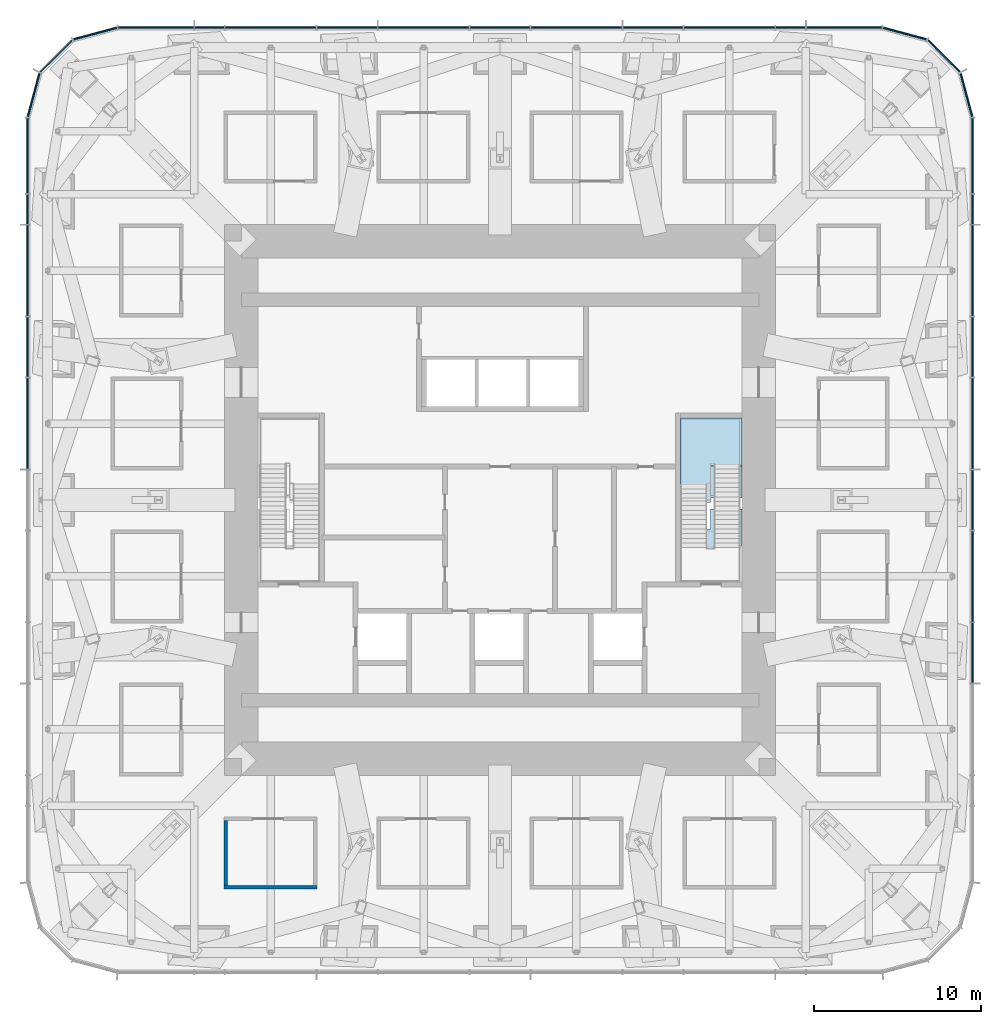
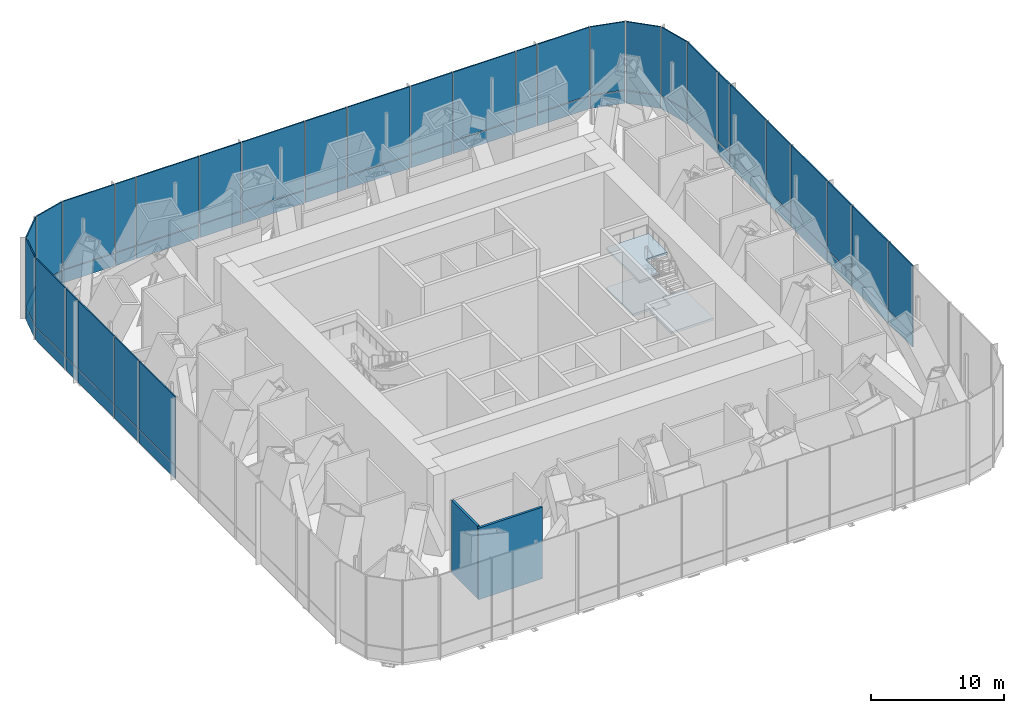
# One storey, part 11 of 16: 60 plates, 3 slabs, 2 walls, 6 elements without a shape of their own.
"""IFC4 building model written with IfcOpenShell, lengths in metres."""

from ifc_helpers import new_model, si_unit, direction, frame, frame_2d, origin, origin_2d, place, context, subcontext, project, spatial, polyline, rectangle, outline, extrude, material, layer, layer_set, type_object, element, aggregate, save


model = new_model("IFC4")

# Units and contexts
model_context = context("Model", 3, precision=1e-05, world=origin(), true_north=direction((0.0, 1.0)))
body_context = subcontext(model_context, "Body", "Model", "MODEL_VIEW")
ifc_project = project(units=[si_unit("LENGTHUNIT", "METRE"), si_unit("AREAUNIT", "SQUARE_METRE"), si_unit("VOLUMEUNIT", "CUBIC_METRE"), si_unit("PLANEANGLEUNIT", "RADIAN"), si_unit("MASSUNIT", "GRAM", prefix="KILO")], contexts=[model_context])

# Site, building, storey
site_placement = place(None, origin())
site = spatial("IfcSite", under=ifc_project, at=site_placement, CompositionType="ELEMENT")
building_placement = place(site_placement, origin())
building = spatial("IfcBuilding", under=site, at=building_placement, Name="Khuree Lantern Residences", CompositionType="ELEMENT")
storey_placement = place(building_placement, frame((0.0, 0.0, 192.0)))
storey = spatial("IfcBuildingStorey", under=building, at=storey_placement, Name="L48", CompositionType="ELEMENT", Elevation=192.0)

# Curtain wall, plates
ifc_material_1 = material(Name="Bronze anodised aluminium", Category="aluminium")
curtain_wall_type = type_object("IfcCurtainWallType", Name="CW-G PLANT STOREY LOUVRED CURTAIN WALL", PredefinedType="USERDEFINED", material=ifc_material_1)
curtain_wall_1_placement = place(storey_placement, origin())
curtain_wall_1 = element("IfcCurtainWall", 1, at=curtain_wall_1_placement, inside=storey, type_object=curtain_wall_type, Name="L48 EAST FACE CURTAIN WALL", ObjectType="Louvred curtain wall", PredefinedType="USERDEFINED")
ifc_material_2 = material(Name="Bronze anodised aluminium louvre blades", Category="aluminium")
ifc_layer_1 = layer(ifc_material_2, 0.10009765625)
ifc_layer_set_1 = layer_set([ifc_layer_1], Name="LOUVRE PANEL P5")
plate_type_1 = type_object("IfcPlateType", Name="LOUVRE PANEL P5", PredefinedType="CURTAIN_PANEL", material=ifc_layer_set_1)
plate_1_placement = place(storey_placement, frame((28.300048828125, -9.159912109375, 1.240234375), z_axis=(0.0, 0.0, 1.0), x_axis=(0.0, 1.0, 0.0)))
plate_1 = element("IfcPlate", 2, at=plate_1_placement, type_object=plate_type_1, Name="L48 EAST FACE PANEL 7.2", PredefinedType="CURTAIN_PANEL", context=body_context, shape_type="SweptSolid", body=[
    extrude(rectangle(XDim=3.583984375, YDim=0.10009765625, at=origin_2d()), origin(), (0.0, 0.0, 1.0), 6.260009765625),
])
plate_2_placement = place(storey_placement, frame((28.300048828125, -4.580078125, 1.240234375), z_axis=(0.0, 0.0, 1.0), x_axis=(0.0, 1.0, 0.0)))
plate_2 = element("IfcPlate", 3, at=plate_2_placement, type_object=plate_type_1, Name="L48 EAST FACE PANEL 8.2", PredefinedType="CURTAIN_PANEL", context=body_context, shape_type="SweptSolid", body=[
    extrude(rectangle(XDim=5.416015625, YDim=0.10009765625, at=origin_2d()), origin(), (0.0, 0.0, 1.0), 6.260009765625),
])
plate_3_placement = place(storey_placement, frame((28.300048828125, 0.0, 1.240234375), z_axis=(0.0, 0.0, 1.0), x_axis=(0.0, 1.0, 0.0)))
plate_3 = element("IfcPlate", 4, at=plate_3_placement, type_object=plate_type_1, Name="L48 EAST FACE PANEL 9.2", PredefinedType="CURTAIN_PANEL", context=body_context, shape_type="SweptSolid", body=[
    extrude(rectangle(XDim=3.583984375, YDim=0.10009765625, at=origin_2d()), origin(), (0.0, 0.0, 1.0), 6.260009765625),
])
plate_4_placement = place(storey_placement, frame((28.300048828125, 4.580078125, 1.240234375), z_axis=(0.0, 0.0, 1.0), x_axis=(0.0, 1.0, 0.0)))
plate_4 = element("IfcPlate", 5, at=plate_4_placement, type_object=plate_type_1, Name="L48 EAST FACE PANEL 10.2", PredefinedType="CURTAIN_PANEL", context=body_context, shape_type="SweptSolid", body=[
    extrude(rectangle(XDim=5.416015625, YDim=0.10009765625, at=origin_2d()), origin(), (0.0, 0.0, 1.0), 6.260009765625),
])
plate_5_placement = place(storey_placement, frame((28.300048828125, 9.159912109375, 1.240234375), z_axis=(0.0, 0.0, 1.0), x_axis=(0.0, 1.0, 0.0)))
plate_5 = element("IfcPlate", 6, at=plate_5_placement, type_object=plate_type_1, Name="L48 EAST FACE PANEL 11.2", PredefinedType="CURTAIN_PANEL", context=body_context, shape_type="SweptSolid", body=[
    extrude(rectangle(XDim=3.583984375, YDim=0.10009765625, at=origin_2d()), origin(), (0.0, 0.0, 1.0), 6.260009765625),
])
plate_6_placement = place(storey_placement, frame((28.300048828125, 13.739990234375, 1.240234375), z_axis=(0.0, 0.0, 1.0), x_axis=(0.0, 1.0, 0.0)))
plate_6 = element("IfcPlate", 7, at=plate_6_placement, type_object=plate_type_1, Name="L48 EAST FACE PANEL 12.2", PredefinedType="CURTAIN_PANEL", context=body_context, shape_type="SweptSolid", body=[
    extrude(rectangle(XDim=5.416015625, YDim=0.10009765625, at=origin_2d()), origin(), (0.0, 0.0, 1.0), 6.260009765625),
])
plate_7_placement = place(storey_placement, frame((28.300048828125, 17.404052734375, 1.240234375), z_axis=(0.0, 0.0, 1.0), x_axis=(0.0, 1.0, 0.0)))
plate_7 = element("IfcPlate", 8, at=plate_7_placement, type_object=plate_type_1, Name="L48 EAST FACE PANEL 13.2", PredefinedType="CURTAIN_PANEL", context=body_context, shape_type="SweptSolid", body=[
    extrude(rectangle(XDim=1.751953125, YDim=0.10009765625, at=origin_2d()), origin(), (0.0, 0.0, 1.0), 6.260009765625),
])
plate_8_placement = place(storey_placement, frame((28.300048828125, 20.6064453125, 1.240234375), z_axis=(0.0, 0.0, 1.0), x_axis=(0.0, 1.0, 0.0)))
plate_8 = element("IfcPlate", 9, at=plate_8_placement, type_object=plate_type_1, Name="L48 EAST FACE PANEL 14.2", PredefinedType="CURTAIN_PANEL", context=body_context, shape_type="SweptSolid", body=[
    extrude(rectangle(XDim=4.4931640625, YDim=0.10009765625, at=origin_2d()), origin(), (0.0, 0.0, 1.0), 6.260009765625),
])

curtain_wall_2_placement = place(storey_placement, origin())
curtain_wall_2 = element("IfcCurtainWall", 10, at=curtain_wall_2_placement, inside=storey, type_object=curtain_wall_type, Name="L48 NORTH-EAST CORNER CURTAIN WALL", ObjectType="Louvred curtain wall", PredefinedType="USERDEFINED")
plate_9_placement = place(storey_placement, frame((27.939208984375, 24.24609375, 1.240234375), z_axis=(0.0, 0.0, 1.0), x_axis=(-0.258819105321, 0.965925810153, 0.0)))
plate_9 = element("IfcPlate", 11, at=plate_9_placement, type_object=plate_type_1, Name="L48 NORTH-EAST CORNER PANEL 15.2", PredefinedType="CURTAIN_PANEL", context=body_context, shape_type="SweptSolid", body=[
    extrude(rectangle(XDim=2.693603515625, YDim=0.10009765625, at=origin_2d()), origin(), (0.0, 0.0, 1.0), 6.260009765625),
])
plate_10_placement = place(storey_placement, frame((26.58837890625, 26.58837890625, 1.240234375), z_axis=(0.0, 0.0, 1.0), x_axis=(-0.707106781187, 0.707106781187, 0.0)))
plate_10 = element("IfcPlate", 12, at=plate_10_placement, type_object=plate_type_1, Name="L48 NORTH-EAST CORNER PANEL 16.2", PredefinedType="CURTAIN_PANEL", context=body_context, shape_type="SweptSolid", body=[
    extrude(rectangle(XDim=2.685546875, YDim=0.10009765625, at=origin_2d()), origin(), (0.0, 0.0, 1.0), 6.260009765625),
])
plate_11_placement = place(storey_placement, frame((24.24609375, 27.939208984375, 1.240234375), z_axis=(0.0, 0.0, 1.0), x_axis=(-0.965925810153, 0.258819105321, 0.0)))
plate_11 = element("IfcPlate", 13, at=plate_11_placement, type_object=plate_type_1, Name="L48 NORTH-EAST CORNER PANEL 17.2", PredefinedType="CURTAIN_PANEL", context=body_context, shape_type="SweptSolid", body=[
    extrude(rectangle(XDim=2.693603515625, YDim=0.10009765625, at=origin_2d()), origin(), (0.0, 0.0, 1.0), 6.260009765625),
])

curtain_wall_3_placement = place(storey_placement, origin())
curtain_wall_3 = element("IfcCurtainWall", 14, at=curtain_wall_3_placement, inside=storey, type_object=curtain_wall_type, Name="L48 NORTH FACE CURTAIN WALL", ObjectType="Louvred curtain wall", PredefinedType="USERDEFINED")
plate_12_placement = place(storey_placement, frame((20.6064453125, 28.300048828125, 1.240234375), z_axis=(0.0, 0.0, 1.0), x_axis=(-1.0, 0.0, 0.0)))
plate_12 = element("IfcPlate", 15, at=plate_12_placement, type_object=plate_type_1, Name="L48 NORTH FACE PANEL 18.2", PredefinedType="CURTAIN_PANEL", context=body_context, shape_type="SweptSolid", body=[
    extrude(rectangle(XDim=4.4931640625, YDim=0.10009765625, at=origin_2d()), origin(), (0.0, 0.0, 1.0), 6.260009765625),
])
plate_13_placement = place(storey_placement, frame((17.404052734375, 28.300048828125, 1.240234375), z_axis=(0.0, 0.0, 1.0), x_axis=(-1.0, 0.0, 0.0)))
plate_13 = element("IfcPlate", 16, at=plate_13_placement, type_object=plate_type_1, Name="L48 NORTH FACE PANEL 19.2", PredefinedType="CURTAIN_PANEL", context=body_context, shape_type="SweptSolid", body=[
    extrude(rectangle(XDim=1.751953125, YDim=0.10009765625, at=origin_2d()), origin(), (0.0, 0.0, 1.0), 6.260009765625),
])
plate_14_placement = place(storey_placement, frame((13.739990234375, 28.300048828125, 1.240234375), z_axis=(0.0, 0.0, 1.0), x_axis=(-1.0, 0.0, 0.0)))
plate_14 = element("IfcPlate", 17, at=plate_14_placement, type_object=plate_type_1, Name="L48 NORTH FACE PANEL 20.2", PredefinedType="CURTAIN_PANEL", context=body_context, shape_type="SweptSolid", body=[
    extrude(rectangle(XDim=5.416015625, YDim=0.10009765625, at=origin_2d()), origin(), (0.0, 0.0, 1.0), 6.260009765625),
])
plate_15_placement = place(storey_placement, frame((9.159912109375, 28.300048828125, 1.240234375), z_axis=(0.0, 0.0, 1.0), x_axis=(-1.0, 0.0, 0.0)))
plate_15 = element("IfcPlate", 18, at=plate_15_placement, type_object=plate_type_1, Name="L48 NORTH FACE PANEL 21.2", PredefinedType="CURTAIN_PANEL", context=body_context, shape_type="SweptSolid", body=[
    extrude(rectangle(XDim=3.583984375, YDim=0.10009765625, at=origin_2d()), origin(), (0.0, 0.0, 1.0), 6.260009765625),
])
plate_16_placement = place(storey_placement, frame((4.580078125, 28.300048828125, 1.240234375), z_axis=(0.0, 0.0, 1.0), x_axis=(-1.0, 0.0, 0.0)))
plate_16 = element("IfcPlate", 19, at=plate_16_placement, type_object=plate_type_1, Name="L48 NORTH FACE PANEL 22.2", PredefinedType="CURTAIN_PANEL", context=body_context, shape_type="SweptSolid", body=[
    extrude(rectangle(XDim=5.416015625, YDim=0.10009765625, at=origin_2d()), origin(), (0.0, 0.0, 1.0), 6.260009765625),
])
plate_17_placement = place(storey_placement, frame((0.0, 28.300048828125, 1.240234375), z_axis=(0.0, 0.0, 1.0), x_axis=(-1.0, 0.0, 0.0)))
plate_17 = element("IfcPlate", 20, at=plate_17_placement, type_object=plate_type_1, Name="L48 NORTH FACE PANEL 23.2", PredefinedType="CURTAIN_PANEL", context=body_context, shape_type="SweptSolid", body=[
    extrude(rectangle(XDim=3.583984375, YDim=0.10009765625, at=origin_2d()), origin(), (0.0, 0.0, 1.0), 6.260009765625),
])
plate_18_placement = place(storey_placement, frame((-4.580078125, 28.300048828125, 1.240234375), z_axis=(0.0, 0.0, 1.0), x_axis=(-1.0, 0.0, 0.0)))
plate_18 = element("IfcPlate", 21, at=plate_18_placement, type_object=plate_type_1, Name="L48 NORTH FACE PANEL 24.2", PredefinedType="CURTAIN_PANEL", context=body_context, shape_type="SweptSolid", body=[
    extrude(rectangle(XDim=5.416015625, YDim=0.10009765625, at=origin_2d()), origin(), (0.0, 0.0, 1.0), 6.260009765625),
])
plate_19_placement = place(storey_placement, frame((-9.159912109375, 28.300048828125, 1.240234375), z_axis=(0.0, 0.0, 1.0), x_axis=(-1.0, 0.0, 0.0)))
plate_19 = element("IfcPlate", 22, at=plate_19_placement, type_object=plate_type_1, Name="L48 NORTH FACE PANEL 25.2", PredefinedType="CURTAIN_PANEL", context=body_context, shape_type="SweptSolid", body=[
    extrude(rectangle(XDim=3.583984375, YDim=0.10009765625, at=origin_2d()), origin(), (0.0, 0.0, 1.0), 6.260009765625),
])
plate_20_placement = place(storey_placement, frame((-13.739990234375, 28.300048828125, 1.240234375), z_axis=(0.0, 0.0, 1.0), x_axis=(-1.0, 0.0, 0.0)))
plate_20 = element("IfcPlate", 23, at=plate_20_placement, type_object=plate_type_1, Name="L48 NORTH FACE PANEL 26.2", PredefinedType="CURTAIN_PANEL", context=body_context, shape_type="SweptSolid", body=[
    extrude(rectangle(XDim=5.416015625, YDim=0.10009765625, at=origin_2d()), origin(), (0.0, 0.0, 1.0), 6.260009765625),
])
plate_21_placement = place(storey_placement, frame((-17.404052734375, 28.300048828125, 1.240234375), z_axis=(0.0, 0.0, 1.0), x_axis=(-1.0, 0.0, 0.0)))
plate_21 = element("IfcPlate", 24, at=plate_21_placement, type_object=plate_type_1, Name="L48 NORTH FACE PANEL 27.2", PredefinedType="CURTAIN_PANEL", context=body_context, shape_type="SweptSolid", body=[
    extrude(rectangle(XDim=1.751953125, YDim=0.10009765625, at=origin_2d()), origin(), (0.0, 0.0, 1.0), 6.260009765625),
])
plate_22_placement = place(storey_placement, frame((-20.6064453125, 28.300048828125, 1.240234375), z_axis=(0.0, 0.0, 1.0), x_axis=(-1.0, 0.0, 0.0)))
plate_22 = element("IfcPlate", 25, at=plate_22_placement, type_object=plate_type_1, Name="L48 NORTH FACE PANEL 28.2", PredefinedType="CURTAIN_PANEL", context=body_context, shape_type="SweptSolid", body=[
    extrude(rectangle(XDim=4.4931640625, YDim=0.10009765625, at=origin_2d()), origin(), (0.0, 0.0, 1.0), 6.260009765625),
])

curtain_wall_4_placement = place(storey_placement, origin())
curtain_wall_4 = element("IfcCurtainWall", 26, at=curtain_wall_4_placement, inside=storey, type_object=curtain_wall_type, Name="L48 NORTH-WEST CORNER CURTAIN WALL", ObjectType="Louvred curtain wall", PredefinedType="USERDEFINED")
plate_23_placement = place(storey_placement, frame((-24.24609375, 27.939208984375, 1.240234375), z_axis=(0.0, 0.0, 1.0), x_axis=(-0.965925810153, -0.258819105321, 0.0)))
plate_23 = element("IfcPlate", 27, at=plate_23_placement, type_object=plate_type_1, Name="L48 NORTH-WEST CORNER PANEL 29.2", PredefinedType="CURTAIN_PANEL", context=body_context, shape_type="SweptSolid", body=[
    extrude(rectangle(XDim=2.693603515625, YDim=0.10009765625, at=origin_2d()), origin(), (0.0, 0.0, 1.0), 6.260009765625),
])
plate_24_placement = place(storey_placement, frame((-26.58837890625, 26.58837890625, 1.240234375), z_axis=(0.0, 0.0, 1.0), x_axis=(-0.707106781187, -0.707106781187, 0.0)))
plate_24 = element("IfcPlate", 28, at=plate_24_placement, type_object=plate_type_1, Name="L48 NORTH-WEST CORNER PANEL 30.2", PredefinedType="CURTAIN_PANEL", context=body_context, shape_type="SweptSolid", body=[
    extrude(rectangle(XDim=2.685546875, YDim=0.10009765625, at=origin_2d()), origin(), (0.0, 0.0, 1.0), 6.260009765625),
])
plate_25_placement = place(storey_placement, frame((-27.939208984375, 24.24609375, 1.240234375), z_axis=(0.0, 0.0, 1.0), x_axis=(-0.258819105321, -0.965925810153, 0.0)))
plate_25 = element("IfcPlate", 29, at=plate_25_placement, type_object=plate_type_1, Name="L48 NORTH-WEST CORNER PANEL 31.2", PredefinedType="CURTAIN_PANEL", context=body_context, shape_type="SweptSolid", body=[
    extrude(rectangle(XDim=2.693603515625, YDim=0.10009765625, at=origin_2d()), origin(), (0.0, 0.0, 1.0), 6.260009765625),
])

curtain_wall_5_placement = place(storey_placement, origin())
curtain_wall_5 = element("IfcCurtainWall", 30, at=curtain_wall_5_placement, inside=storey, type_object=curtain_wall_type, Name="L48 WEST FACE CURTAIN WALL", ObjectType="Louvred curtain wall", PredefinedType="USERDEFINED")
plate_26_placement = place(storey_placement, frame((-28.300048828125, 20.6064453125, 1.240234375), z_axis=(0.0, 0.0, 1.0), x_axis=(0.0, -1.0, 0.0)))
plate_26 = element("IfcPlate", 31, at=plate_26_placement, type_object=plate_type_1, Name="L48 WEST FACE PANEL 32.2", PredefinedType="CURTAIN_PANEL", context=body_context, shape_type="SweptSolid", body=[
    extrude(rectangle(XDim=4.4931640625, YDim=0.10009765625, at=origin_2d()), origin(), (0.0, 0.0, 1.0), 6.260009765625),
])
plate_27_placement = place(storey_placement, frame((-28.300048828125, 17.404052734375, 1.240234375), z_axis=(0.0, 0.0, 1.0), x_axis=(0.0, -1.0, 0.0)))
plate_27 = element("IfcPlate", 32, at=plate_27_placement, type_object=plate_type_1, Name="L48 WEST FACE PANEL 33.2", PredefinedType="CURTAIN_PANEL", context=body_context, shape_type="SweptSolid", body=[
    extrude(rectangle(XDim=1.751953125, YDim=0.10009765625, at=origin_2d()), origin(), (0.0, 0.0, 1.0), 6.260009765625),
])
plate_28_placement = place(storey_placement, frame((-28.300048828125, 13.739990234375, 1.240234375), z_axis=(0.0, 0.0, 1.0), x_axis=(0.0, -1.0, 0.0)))
plate_28 = element("IfcPlate", 33, at=plate_28_placement, type_object=plate_type_1, Name="L48 WEST FACE PANEL 34.2", PredefinedType="CURTAIN_PANEL", context=body_context, shape_type="SweptSolid", body=[
    extrude(rectangle(XDim=5.416015625, YDim=0.10009765625, at=origin_2d()), origin(), (0.0, 0.0, 1.0), 6.260009765625),
])
plate_29_placement = place(storey_placement, frame((-28.300048828125, 9.159912109375, 1.240234375), z_axis=(0.0, 0.0, 1.0), x_axis=(0.0, -1.0, 0.0)))
plate_29 = element("IfcPlate", 34, at=plate_29_placement, type_object=plate_type_1, Name="L48 WEST FACE PANEL 35.2", PredefinedType="CURTAIN_PANEL", context=body_context, shape_type="SweptSolid", body=[
    extrude(rectangle(XDim=3.583984375, YDim=0.10009765625, at=origin_2d()), origin(), (0.0, 0.0, 1.0), 6.260009765625),
])
plate_30_placement = place(storey_placement, frame((-28.300048828125, 4.580078125, 1.240234375), z_axis=(0.0, 0.0, 1.0), x_axis=(0.0, -1.0, 0.0)))
plate_30 = element("IfcPlate", 35, at=plate_30_placement, type_object=plate_type_1, Name="L48 WEST FACE PANEL 36.2", PredefinedType="CURTAIN_PANEL", context=body_context, shape_type="SweptSolid", body=[
    extrude(rectangle(XDim=5.416015625, YDim=0.10009765625, at=origin_2d()), origin(), (0.0, 0.0, 1.0), 6.260009765625),
])

# Plate
ifc_material_3 = material(Name="Bronze anodised aluminium insulated spandrel", Category="aluminium")
ifc_layer_2 = layer(ifc_material_3, 0.080078125)
ifc_layer_set_2 = layer_set([ifc_layer_2], Name="PLANT SPANDREL PANEL P6")
plate_type_2 = type_object("IfcPlateType", Name="PLANT SPANDREL PANEL P6", PredefinedType="CURTAIN_PANEL", material=ifc_layer_set_2)
plate_31_placement = place(storey_placement, frame((28.300048828125, -9.159912109375, 0.0), z_axis=(0.0, 0.0, 1.0), x_axis=(0.0, 1.0, 0.0)))
plate_31 = element("IfcPlate", 36, at=plate_31_placement, type_object=plate_type_2, Name="L48 EAST FACE PANEL 7.1", PredefinedType="CURTAIN_PANEL", context=body_context, shape_type="SweptSolid", body=[
    extrude(rectangle(XDim=3.583984375, YDim=0.080078125, at=origin_2d()), origin(), (0.0, 0.0, 1.0), 1.159912109375),
])

plate_32_placement = place(storey_placement, frame((28.300048828125, -4.580078125, 0.0), z_axis=(0.0, 0.0, 1.0), x_axis=(0.0, 1.0, 0.0)))
plate_32 = element("IfcPlate", 37, at=plate_32_placement, type_object=plate_type_2, Name="L48 EAST FACE PANEL 8.1", PredefinedType="CURTAIN_PANEL", context=body_context, shape_type="SweptSolid", body=[
    extrude(rectangle(XDim=5.416015625, YDim=0.080078125, at=origin_2d()), origin(), (0.0, 0.0, 1.0), 1.159912109375),
])

plate_33_placement = place(storey_placement, frame((28.300048828125, 0.0, 0.0), z_axis=(0.0, 0.0, 1.0), x_axis=(0.0, 1.0, 0.0)))
plate_33 = element("IfcPlate", 38, at=plate_33_placement, type_object=plate_type_2, Name="L48 EAST FACE PANEL 9.1", PredefinedType="CURTAIN_PANEL", context=body_context, shape_type="SweptSolid", body=[
    extrude(rectangle(XDim=3.583984375, YDim=0.080078125, at=origin_2d()), origin(), (0.0, 0.0, 1.0), 1.159912109375),
])

plate_34_placement = place(storey_placement, frame((28.300048828125, 4.580078125, 0.0), z_axis=(0.0, 0.0, 1.0), x_axis=(0.0, 1.0, 0.0)))
plate_34 = element("IfcPlate", 39, at=plate_34_placement, type_object=plate_type_2, Name="L48 EAST FACE PANEL 10.1", PredefinedType="CURTAIN_PANEL", context=body_context, shape_type="SweptSolid", body=[
    extrude(rectangle(XDim=5.416015625, YDim=0.080078125, at=origin_2d()), origin(), (0.0, 0.0, 1.0), 1.159912109375),
])

plate_35_placement = place(storey_placement, frame((28.300048828125, 9.159912109375, 0.0), z_axis=(0.0, 0.0, 1.0), x_axis=(0.0, 1.0, 0.0)))
plate_35 = element("IfcPlate", 40, at=plate_35_placement, type_object=plate_type_2, Name="L48 EAST FACE PANEL 11.1", PredefinedType="CURTAIN_PANEL", context=body_context, shape_type="SweptSolid", body=[
    extrude(rectangle(XDim=3.583984375, YDim=0.080078125, at=origin_2d()), origin(), (0.0, 0.0, 1.0), 1.159912109375),
])

plate_36_placement = place(storey_placement, frame((28.300048828125, 13.739990234375, 0.0), z_axis=(0.0, 0.0, 1.0), x_axis=(0.0, 1.0, 0.0)))
plate_36 = element("IfcPlate", 41, at=plate_36_placement, type_object=plate_type_2, Name="L48 EAST FACE PANEL 12.1", PredefinedType="CURTAIN_PANEL", context=body_context, shape_type="SweptSolid", body=[
    extrude(rectangle(XDim=5.416015625, YDim=0.080078125, at=origin_2d()), origin(), (0.0, 0.0, 1.0), 1.159912109375),
])

plate_37_placement = place(storey_placement, frame((28.300048828125, 17.404052734375, 0.0), z_axis=(0.0, 0.0, 1.0), x_axis=(0.0, 1.0, 0.0)))
plate_37 = element("IfcPlate", 42, at=plate_37_placement, type_object=plate_type_2, Name="L48 EAST FACE PANEL 13.1", PredefinedType="CURTAIN_PANEL", context=body_context, shape_type="SweptSolid", body=[
    extrude(rectangle(XDim=1.751953125, YDim=0.080078125, at=origin_2d()), origin(), (0.0, 0.0, 1.0), 1.159912109375),
])

plate_38_placement = place(storey_placement, frame((28.300048828125, 20.607177734375, 0.0), z_axis=(0.0, 0.0, 1.0), x_axis=(0.0, 1.0, 0.0)))
plate_38 = element("IfcPlate", 43, at=plate_38_placement, type_object=plate_type_2, Name="L48 EAST FACE PANEL 14.1", PredefinedType="CURTAIN_PANEL", context=body_context, shape_type="SweptSolid", body=[
    extrude(rectangle(XDim=4.494384765625, YDim=0.080078125, at=origin_2d()), origin(), (0.0, 0.0, 1.0), 1.159912109375),
])

aggregate(curtain_wall_1, [plate_31, plate_1, plate_32, plate_2, plate_33, plate_3, plate_34, plate_4, plate_35, plate_5, plate_36, plate_6, plate_37, plate_7, plate_38, plate_8])

plate_39_placement = place(storey_placement, frame((27.939208984375, 24.246826171875, 0.0), z_axis=(0.0, 0.0, 1.0), x_axis=(-0.258819105321, 0.965925810153, 0.0)))
plate_39 = element("IfcPlate", 44, at=plate_39_placement, type_object=plate_type_2, Name="L48 NORTH-EAST CORNER PANEL 15.1", PredefinedType="CURTAIN_PANEL", context=body_context, shape_type="SweptSolid", body=[
    extrude(rectangle(XDim=2.697509765625, YDim=0.080078125, at=origin_2d()), origin(), (0.0, 0.0, 1.0), 1.159912109375),
])

plate_40_placement = place(storey_placement, frame((26.58837890625, 26.58837890625, 0.0), z_axis=(0.0, 0.0, 1.0), x_axis=(-0.707106781187, 0.707106781187, 0.0)))
plate_40 = element("IfcPlate", 45, at=plate_40_placement, type_object=plate_type_2, Name="L48 NORTH-EAST CORNER PANEL 16.1", PredefinedType="CURTAIN_PANEL", context=body_context, shape_type="SweptSolid", body=[
    extrude(rectangle(XDim=2.69091796875, YDim=0.080078125, at=origin_2d()), origin(), (0.0, 0.0, 1.0), 1.159912109375),
])

plate_41_placement = place(storey_placement, frame((24.246826171875, 27.939208984375, 0.0), z_axis=(0.0, 0.0, 1.0), x_axis=(-0.965925810153, 0.258819105321, 0.0)))
plate_41 = element("IfcPlate", 46, at=plate_41_placement, type_object=plate_type_2, Name="L48 NORTH-EAST CORNER PANEL 17.1", PredefinedType="CURTAIN_PANEL", context=body_context, shape_type="SweptSolid", body=[
    extrude(rectangle(XDim=2.697509765625, YDim=0.080078125, at=origin_2d()), origin(), (0.0, 0.0, 1.0), 1.159912109375),
])

aggregate(curtain_wall_2, [plate_39, plate_9, plate_40, plate_10, plate_41, plate_11])

plate_42_placement = place(storey_placement, frame((20.607177734375, 28.300048828125, 0.0), z_axis=(0.0, 0.0, 1.0), x_axis=(-1.0, 0.0, 0.0)))
plate_42 = element("IfcPlate", 47, at=plate_42_placement, type_object=plate_type_2, Name="L48 NORTH FACE PANEL 18.1", PredefinedType="CURTAIN_PANEL", context=body_context, shape_type="SweptSolid", body=[
    extrude(rectangle(XDim=4.494384765625, YDim=0.080078125, at=origin_2d()), origin(), (0.0, 0.0, 1.0), 1.159912109375),
])

plate_43_placement = place(storey_placement, frame((17.404052734375, 28.300048828125, 0.0), z_axis=(0.0, 0.0, 1.0), x_axis=(-1.0, 0.0, 0.0)))
plate_43 = element("IfcPlate", 48, at=plate_43_placement, type_object=plate_type_2, Name="L48 NORTH FACE PANEL 19.1", PredefinedType="CURTAIN_PANEL", context=body_context, shape_type="SweptSolid", body=[
    extrude(rectangle(XDim=1.751953125, YDim=0.080078125, at=origin_2d()), origin(), (0.0, 0.0, 1.0), 1.159912109375),
])

plate_44_placement = place(storey_placement, frame((13.739990234375, 28.300048828125, 0.0), z_axis=(0.0, 0.0, 1.0), x_axis=(-1.0, 0.0, 0.0)))
plate_44 = element("IfcPlate", 49, at=plate_44_placement, type_object=plate_type_2, Name="L48 NORTH FACE PANEL 20.1", PredefinedType="CURTAIN_PANEL", context=body_context, shape_type="SweptSolid", body=[
    extrude(rectangle(XDim=5.416015625, YDim=0.080078125, at=origin_2d()), origin(), (0.0, 0.0, 1.0), 1.159912109375),
])

plate_45_placement = place(storey_placement, frame((9.159912109375, 28.300048828125, 0.0), z_axis=(0.0, 0.0, 1.0), x_axis=(-1.0, 0.0, 0.0)))
plate_45 = element("IfcPlate", 50, at=plate_45_placement, type_object=plate_type_2, Name="L48 NORTH FACE PANEL 21.1", PredefinedType="CURTAIN_PANEL", context=body_context, shape_type="SweptSolid", body=[
    extrude(rectangle(XDim=3.583984375, YDim=0.080078125, at=origin_2d()), origin(), (0.0, 0.0, 1.0), 1.159912109375),
])

plate_46_placement = place(storey_placement, frame((4.580078125, 28.300048828125, 0.0), z_axis=(0.0, 0.0, 1.0), x_axis=(-1.0, 0.0, 0.0)))
plate_46 = element("IfcPlate", 51, at=plate_46_placement, type_object=plate_type_2, Name="L48 NORTH FACE PANEL 22.1", PredefinedType="CURTAIN_PANEL", context=body_context, shape_type="SweptSolid", body=[
    extrude(rectangle(XDim=5.416015625, YDim=0.080078125, at=origin_2d()), origin(), (0.0, 0.0, 1.0), 1.159912109375),
])

plate_47_placement = place(storey_placement, frame((0.0, 28.300048828125, 0.0), z_axis=(0.0, 0.0, 1.0), x_axis=(-1.0, 0.0, 0.0)))
plate_47 = element("IfcPlate", 52, at=plate_47_placement, type_object=plate_type_2, Name="L48 NORTH FACE PANEL 23.1", PredefinedType="CURTAIN_PANEL", context=body_context, shape_type="SweptSolid", body=[
    extrude(rectangle(XDim=3.583984375, YDim=0.080078125, at=origin_2d()), origin(), (0.0, 0.0, 1.0), 1.159912109375),
])

plate_48_placement = place(storey_placement, frame((-4.580078125, 28.300048828125, 0.0), z_axis=(0.0, 0.0, 1.0), x_axis=(-1.0, 0.0, 0.0)))
plate_48 = element("IfcPlate", 53, at=plate_48_placement, type_object=plate_type_2, Name="L48 NORTH FACE PANEL 24.1", PredefinedType="CURTAIN_PANEL", context=body_context, shape_type="SweptSolid", body=[
    extrude(rectangle(XDim=5.416015625, YDim=0.080078125, at=origin_2d()), origin(), (0.0, 0.0, 1.0), 1.159912109375),
])

plate_49_placement = place(storey_placement, frame((-9.159912109375, 28.300048828125, 0.0), z_axis=(0.0, 0.0, 1.0), x_axis=(-1.0, 0.0, 0.0)))
plate_49 = element("IfcPlate", 54, at=plate_49_placement, type_object=plate_type_2, Name="L48 NORTH FACE PANEL 25.1", PredefinedType="CURTAIN_PANEL", context=body_context, shape_type="SweptSolid", body=[
    extrude(rectangle(XDim=3.583984375, YDim=0.080078125, at=origin_2d()), origin(), (0.0, 0.0, 1.0), 1.159912109375),
])

plate_50_placement = place(storey_placement, frame((-13.739990234375, 28.300048828125, 0.0), z_axis=(0.0, 0.0, 1.0), x_axis=(-1.0, 0.0, 0.0)))
plate_50 = element("IfcPlate", 55, at=plate_50_placement, type_object=plate_type_2, Name="L48 NORTH FACE PANEL 26.1", PredefinedType="CURTAIN_PANEL", context=body_context, shape_type="SweptSolid", body=[
    extrude(rectangle(XDim=5.416015625, YDim=0.080078125, at=origin_2d()), origin(), (0.0, 0.0, 1.0), 1.159912109375),
])

plate_51_placement = place(storey_placement, frame((-17.404052734375, 28.300048828125, 0.0), z_axis=(0.0, 0.0, 1.0), x_axis=(-1.0, 0.0, 0.0)))
plate_51 = element("IfcPlate", 56, at=plate_51_placement, type_object=plate_type_2, Name="L48 NORTH FACE PANEL 27.1", PredefinedType="CURTAIN_PANEL", context=body_context, shape_type="SweptSolid", body=[
    extrude(rectangle(XDim=1.751953125, YDim=0.080078125, at=origin_2d()), origin(), (0.0, 0.0, 1.0), 1.159912109375),
])

plate_52_placement = place(storey_placement, frame((-20.607177734375, 28.300048828125, 0.0), z_axis=(0.0, 0.0, 1.0), x_axis=(-1.0, 0.0, 0.0)))
plate_52 = element("IfcPlate", 57, at=plate_52_placement, type_object=plate_type_2, Name="L48 NORTH FACE PANEL 28.1", PredefinedType="CURTAIN_PANEL", context=body_context, shape_type="SweptSolid", body=[
    extrude(rectangle(XDim=4.494384765625, YDim=0.080078125, at=origin_2d()), origin(), (0.0, 0.0, 1.0), 1.159912109375),
])

aggregate(curtain_wall_3, [plate_42, plate_12, plate_43, plate_13, plate_44, plate_14, plate_45, plate_15, plate_46, plate_16, plate_47, plate_17, plate_48, plate_18, plate_49, plate_19, plate_50, plate_20, plate_51, plate_21, plate_52, plate_22])

plate_53_placement = place(storey_placement, frame((-24.246826171875, 27.939208984375, 0.0), z_axis=(0.0, 0.0, 1.0), x_axis=(-0.965925810153, -0.258819105321, 0.0)))
plate_53 = element("IfcPlate", 58, at=plate_53_placement, type_object=plate_type_2, Name="L48 NORTH-WEST CORNER PANEL 29.1", PredefinedType="CURTAIN_PANEL", context=body_context, shape_type="SweptSolid", body=[
    extrude(rectangle(XDim=2.697509765625, YDim=0.080078125, at=origin_2d()), origin(), (0.0, 0.0, 1.0), 1.159912109375),
])

plate_54_placement = place(storey_placement, frame((-26.58837890625, 26.58837890625, 0.0), z_axis=(0.0, 0.0, 1.0), x_axis=(-0.707106781187, -0.707106781187, 0.0)))
plate_54 = element("IfcPlate", 59, at=plate_54_placement, type_object=plate_type_2, Name="L48 NORTH-WEST CORNER PANEL 30.1", PredefinedType="CURTAIN_PANEL", context=body_context, shape_type="SweptSolid", body=[
    extrude(rectangle(XDim=2.69091796875, YDim=0.080078125, at=origin_2d()), origin(), (0.0, 0.0, 1.0), 1.159912109375),
])

plate_55_placement = place(storey_placement, frame((-27.939208984375, 24.246826171875, 0.0), z_axis=(0.0, 0.0, 1.0), x_axis=(-0.258819105321, -0.965925810153, 0.0)))
plate_55 = element("IfcPlate", 60, at=plate_55_placement, type_object=plate_type_2, Name="L48 NORTH-WEST CORNER PANEL 31.1", PredefinedType="CURTAIN_PANEL", context=body_context, shape_type="SweptSolid", body=[
    extrude(rectangle(XDim=2.697509765625, YDim=0.080078125, at=origin_2d()), origin(), (0.0, 0.0, 1.0), 1.159912109375),
])

aggregate(curtain_wall_4, [plate_53, plate_23, plate_54, plate_24, plate_55, plate_25])

plate_56_placement = place(storey_placement, frame((-28.300048828125, 20.607177734375, 0.0), z_axis=(0.0, 0.0, 1.0), x_axis=(0.0, -1.0, 0.0)))
plate_56 = element("IfcPlate", 61, at=plate_56_placement, type_object=plate_type_2, Name="L48 WEST FACE PANEL 32.1", PredefinedType="CURTAIN_PANEL", context=body_context, shape_type="SweptSolid", body=[
    extrude(rectangle(XDim=4.494384765625, YDim=0.080078125, at=origin_2d()), origin(), (0.0, 0.0, 1.0), 1.159912109375),
])

plate_57_placement = place(storey_placement, frame((-28.300048828125, 17.404052734375, 0.0), z_axis=(0.0, 0.0, 1.0), x_axis=(0.0, -1.0, 0.0)))
plate_57 = element("IfcPlate", 62, at=plate_57_placement, type_object=plate_type_2, Name="L48 WEST FACE PANEL 33.1", PredefinedType="CURTAIN_PANEL", context=body_context, shape_type="SweptSolid", body=[
    extrude(rectangle(XDim=1.751953125, YDim=0.080078125, at=origin_2d()), origin(), (0.0, 0.0, 1.0), 1.159912109375),
])

plate_58_placement = place(storey_placement, frame((-28.300048828125, 13.739990234375, 0.0), z_axis=(0.0, 0.0, 1.0), x_axis=(0.0, -1.0, 0.0)))
plate_58 = element("IfcPlate", 63, at=plate_58_placement, type_object=plate_type_2, Name="L48 WEST FACE PANEL 34.1", PredefinedType="CURTAIN_PANEL", context=body_context, shape_type="SweptSolid", body=[
    extrude(rectangle(XDim=5.416015625, YDim=0.080078125, at=origin_2d()), origin(), (0.0, 0.0, 1.0), 1.159912109375),
])

plate_59_placement = place(storey_placement, frame((-28.300048828125, 9.159912109375, 0.0), z_axis=(0.0, 0.0, 1.0), x_axis=(0.0, -1.0, 0.0)))
plate_59 = element("IfcPlate", 64, at=plate_59_placement, type_object=plate_type_2, Name="L48 WEST FACE PANEL 35.1", PredefinedType="CURTAIN_PANEL", context=body_context, shape_type="SweptSolid", body=[
    extrude(rectangle(XDim=3.583984375, YDim=0.080078125, at=origin_2d()), origin(), (0.0, 0.0, 1.0), 1.159912109375),
])

plate_60_placement = place(storey_placement, frame((-28.300048828125, 4.580078125, 0.0), z_axis=(0.0, 0.0, 1.0), x_axis=(0.0, -1.0, 0.0)))
plate_60 = element("IfcPlate", 65, at=plate_60_placement, type_object=plate_type_2, Name="L48 WEST FACE PANEL 36.1", PredefinedType="CURTAIN_PANEL", context=body_context, shape_type="SweptSolid", body=[
    extrude(rectangle(XDim=5.416015625, YDim=0.080078125, at=origin_2d()), origin(), (0.0, 0.0, 1.0), 1.159912109375),
])

aggregate(curtain_wall_5, [plate_56, plate_26, plate_57, plate_27, plate_58, plate_28, plate_59, plate_29, plate_60, plate_30])

# Stair, slabs
ifc_material_4 = material(Name="Concrete C40/50", Category="concrete")
stair_type = type_object("IfcStairType", Name="STAIR ST1 HALF TURN 3600", PredefinedType="HALF_TURN_STAIR", material=ifc_material_4)
stair_placement = place(storey_placement, origin())
stair = element("IfcStair", 66, at=stair_placement, inside=storey, type_object=stair_type, Name="Stair ST2", PredefinedType="HALF_TURN_STAIR")
ifc_layer_3 = layer(ifc_material_4, 0.199951171875)
ifc_layer_set_3 = layer_set([ifc_layer_3], Name="STAIR LANDING SL1 200")
slab_type = type_object("IfcSlabType", Name="STAIR LANDING SL1 200", PredefinedType="LANDING", material=ifc_layer_set_3)
slab_1_placement = place(storey_placement, frame((0.0, 0.0, 1.800048828125)))
slab_1 = element("IfcSlab", 67, at=slab_1_placement, type_object=slab_type, Name="ST2 landing 2", PredefinedType="LANDING", context=body_context, shape_type="SweptSolid", body=[
    extrude(outline(polyline([(14.5, 4.89990234375), (14.5, 0.1201171875), (12.60009765625, 0.1201171875), (12.60009765625, 0.85009765625), (10.800048828125, 0.85009765625), (10.800048828125, 4.89990234375), (14.5, 4.89990234375)])), origin(), (0.0, 0.0, 1.0), 0.199951171875),
])
slab_2_placement = place(storey_placement, frame((0.0, 0.0, 3.63330078125)))
slab_2 = element("IfcSlab", 68, at=slab_2_placement, type_object=slab_type, Name="ST2 landing 3", PredefinedType="LANDING", context=body_context, shape_type="SweptSolid", body=[
    extrude(outline(polyline([(14.5, -4.89990234375), (10.800048828125, -4.89990234375), (10.800048828125, -1.75), (12.60009765625, -1.75), (12.60009765625, -0.550048828125), (14.5, -0.550048828125), (14.5, -4.89990234375)])), origin(), (0.0, 0.0, 1.0), 0.199951171875),
])
slab_3_placement = place(storey_placement, frame((0.0, 0.0, 5.466552734375)))
slab_3 = element("IfcSlab", 69, at=slab_3_placement, type_object=slab_type, Name="ST2 landing 4", PredefinedType="LANDING", context=body_context, shape_type="SweptSolid", body=[
    extrude(outline(polyline([(12.60009765625, -0.159912109375), (10.800048828125, -0.159912109375), (10.800048828125, 4.89990234375), (14.5, 4.89990234375), (14.5, 2.050048828125), (12.60009765625, 2.050048828125), (12.60009765625, -0.159912109375)])), origin(), (0.0, 0.0, 1.0), 0.2001953125),
])
aggregate(stair, [slab_1, slab_2, slab_3])

# Walls
ifc_material_5 = material(Name="Dense concrete blockwork", Category="masonry")
ifc_layer_4 = layer(ifc_material_5, 0.199951171875)
ifc_layer_set_4 = layer_set([ifc_layer_4], Name="FIRE-RATED ROOM WALL FRW200 EI 120")
wall_type = type_object("IfcWallType", Name="FIRE-RATED ROOM WALL FRW200 EI 120", PredefinedType="SOLIDWALL", material=ifc_layer_set_4)
wall_1_placement = place(storey_placement, frame((-16.52001953125, -23.199951171875, 0.0), z_axis=(0.0, 0.0, 1.0), x_axis=(1.0, 0.0, 0.0)))
element("IfcWall", 70, at=wall_1_placement, inside=storey, type_object=wall_type, Name="L48 ROOM WALL 1", PredefinedType="SOLIDWALL", context=body_context, shape_type="SweptSolid", body=[
    extrude(rectangle(XDim=5.56005859375, YDim=0.199951171875, at=frame_2d((2.780029296875, 0.0))), origin(), (0.0, 0.0, 1.0), 6.56005859375),
])
wall_2_placement = place(storey_placement, frame((-16.419921875, -23.10009765625, 0.0), z_axis=(0.0, 0.0, 1.0), x_axis=(0.0, 1.0, 0.0)))
element("IfcWall", 71, at=wall_2_placement, inside=storey, type_object=wall_type, Name="L48 ROOM WALL 5", PredefinedType="SOLIDWALL", context=body_context, shape_type="SweptSolid", body=[
    extrude(rectangle(XDim=3.900146484375, YDim=0.199951171875, at=frame_2d((1.9501953125, 0.0))), origin(), (0.0, 0.0, 1.0), 6.64990234375),
])

save(model, "model.ifc")
